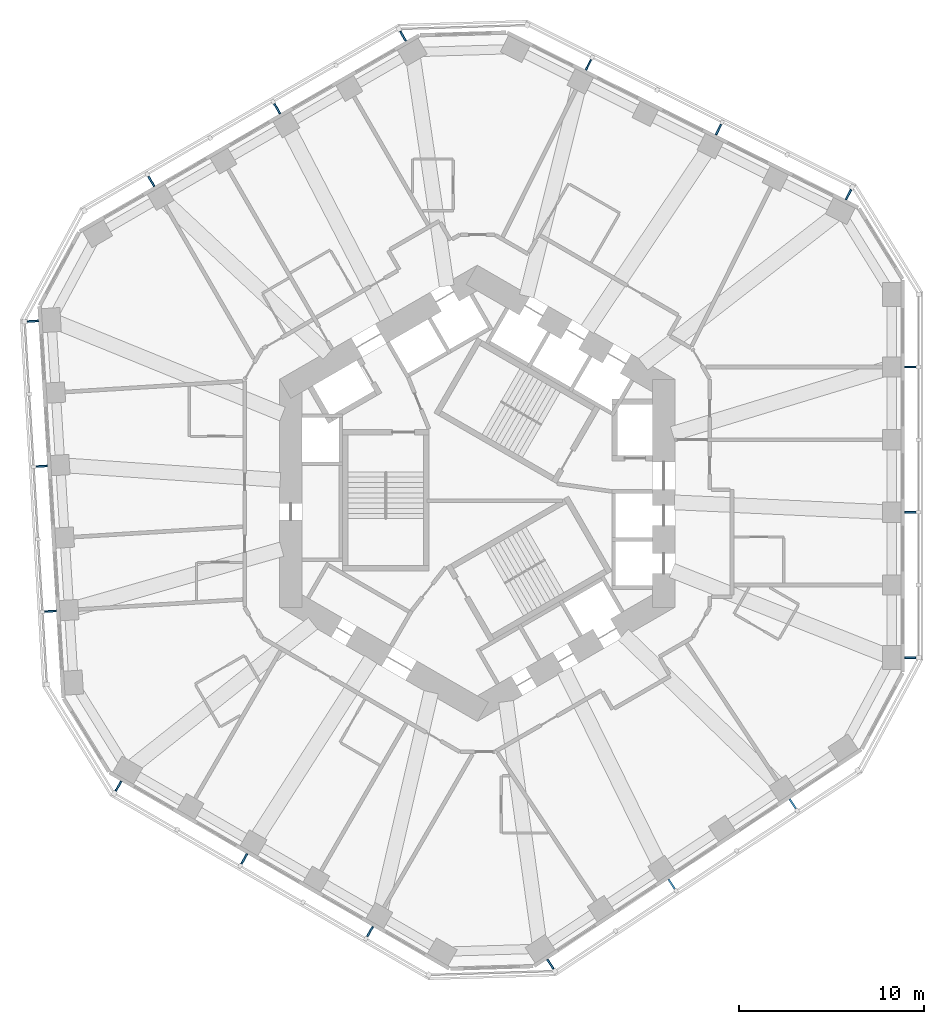
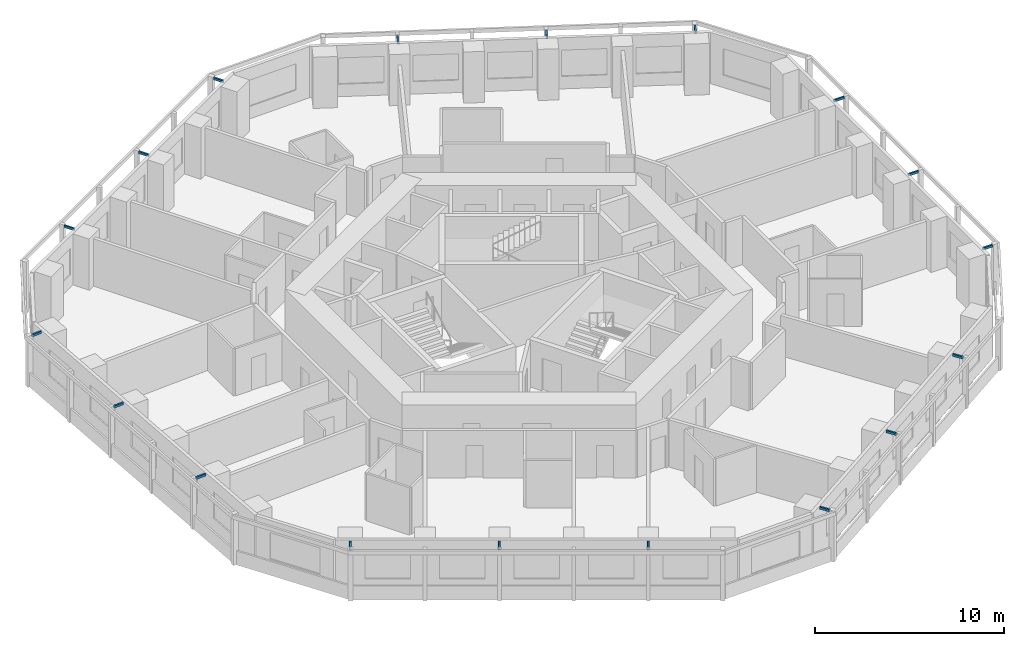
# One storey, part 10 of 11: 18 discrete accessories.
"""IFC4 building model written with IfcOpenShell, lengths in metres."""

from ifc_helpers import new_model, si_unit, direction, frame, origin, origin_2d, place, context, subcontext, project, spatial, rectangle, extrude, material, type_object, element, save


model = new_model("IFC4")

# Units and contexts
model_context = context("Model", 3, precision=1e-05, world=origin(), true_north=direction((0.0, 1.0)))
body_context = subcontext(model_context, "Body", "Model", "MODEL_VIEW")
ifc_project = project(units=[si_unit("LENGTHUNIT", "METRE"), si_unit("AREAUNIT", "SQUARE_METRE"), si_unit("VOLUMEUNIT", "CUBIC_METRE"), si_unit("PLANEANGLEUNIT", "RADIAN"), si_unit("MASSUNIT", "GRAM", prefix="KILO")], contexts=[model_context])

# Site, building, storey
site_placement = place(None, origin())
site = spatial("IfcSite", under=ifc_project, at=site_placement, CompositionType="ELEMENT")
building_placement = place(site_placement, origin())
building = spatial("IfcBuilding", under=site, at=building_placement, Name="Vanh Sen Convention Tower", CompositionType="ELEMENT")
storey_placement = place(building_placement, frame((0.0, 0.0, 96.800048828125)))
storey = spatial("IfcBuildingStorey", under=building, at=storey_placement, Name="L22", CompositionType="ELEMENT", Elevation=96.800048828125)

# Discrete accessories
ifc_material = material(Name="Steel S355", Category="steel")
discrete_accessory_type = type_object("IfcDiscreteAccessoryType", Name="Fin bracket 100 x 150", PredefinedType="BRACKET", material=ifc_material)
discrete_accessory_1_placement = place(storey_placement, frame((23.449951171875, -8.899169921875, 3.10009765625), z_axis=(0.0, 0.0, 1.0), x_axis=(1.0, 0.0, 0.0)))
element("IfcDiscreteAccessory", 1, at=discrete_accessory_1_placement, inside=storey, type_object=discrete_accessory_type, Name="Fin bracket E-1 L22", PredefinedType="BRACKET", context=body_context, shape_type="SweptSolid", body=[
    extrude(rectangle(XDim=0.60009765625, YDim=0.10009765625, at=origin_2d()), origin(), (0.0, 0.0, 1.0), 0.14990234375),
])
for number, where, z_axis, x_axis, name in (
    (2, (23.46240234375, -1.030029296875, 3.10009765625), (0.0, 0.0, 1.0), (1.0, 0.0, 0.0), "Fin bracket E-3 L22"),
    (3, (23.46240234375, 6.839111328125, 3.10009765625), (0.0, 0.0, 1.0), (1.0, 0.0, 0.0), "Fin bracket E-5 L22"),
):
    element("IfcDiscreteAccessory", number, at=place(storey_placement, frame(where, z_axis=z_axis, x_axis=x_axis)), inside=storey, type_object=discrete_accessory_type, Name=name, PredefinedType="BRACKET", context=body_context, shape_type="SweptSolid", body=[
        extrude(rectangle(XDim=0.625, YDim=0.10009765625, at=origin_2d()), origin(), (0.0, 0.0, 1.0), 0.14990234375),
    ])
discrete_accessory_2_placement = place(storey_placement, frame((20.10498046875, 16.178955078125, 3.10009765625), z_axis=(0.0, 0.0, 1.0), x_axis=(0.44619781311, 0.894934361602, 0.0)))
element("IfcDiscreteAccessory", 4, at=discrete_accessory_2_placement, inside=storey, type_object=discrete_accessory_type, Name="Fin bracket NE-1 L22", PredefinedType="BRACKET", context=body_context, shape_type="SweptSolid", body=[
    extrude(rectangle(XDim=0.60009765625, YDim=0.10009765625, at=origin_2d()), origin(), (0.0, 0.0, 1.0), 0.14990234375),
])
for number, where, z_axis, x_axis, name in (
    (5, (13.068359375, 19.701416015625, 3.10009765625), (0.0, 0.0, 1.0), (0.44619781311, 0.894934361602, 0.0), "Fin bracket NE-3 L22"),
    (6, (6.02587890625, 23.212646484375, 3.10009765625), (0.0, 0.0, 1.0), (0.44619781311, 0.894934361602, 0.0), "Fin bracket NE-5 L22"),
):
    element("IfcDiscreteAccessory", number, at=place(storey_placement, frame(where, z_axis=z_axis, x_axis=x_axis)), inside=storey, type_object=discrete_accessory_type, Name=name, PredefinedType="BRACKET", context=body_context, shape_type="SweptSolid", body=[
        extrude(rectangle(XDim=0.625, YDim=0.10009765625, at=origin_2d()), origin(), (0.0, 0.0, 1.0), 0.14990234375),
    ])
discrete_accessory_3_placement = place(storey_placement, frame((-4.01806640625, 24.7578125, 3.10009765625), z_axis=(0.0, 0.0, 1.0), x_axis=(-0.5, 0.866025403784, 0.0)))
element("IfcDiscreteAccessory", 7, at=discrete_accessory_3_placement, inside=storey, type_object=discrete_accessory_type, Name="Fin bracket NW-1 L22", PredefinedType="BRACKET", context=body_context, shape_type="SweptSolid", body=[
    extrude(rectangle(XDim=0.60009765625, YDim=0.10009765625, at=origin_2d()), origin(), (0.0, 0.0, 1.0), 0.14990234375),
])
for number, where, z_axis, x_axis, name in (
    (8, (-10.839111328125, 20.834228515625, 3.10009765625), (0.0, 0.0, 1.0), (-0.5, 0.866025403784, 0.0), "Fin bracket NW-3 L22"),
    (9, (-17.654296875, 16.899658203125, 3.10009765625), (0.0, 0.0, 1.0), (-0.5, 0.866025403784, 0.0), "Fin bracket NW-5 L22"),
):
    element("IfcDiscreteAccessory", number, at=place(storey_placement, frame(where, z_axis=z_axis, x_axis=x_axis)), inside=storey, type_object=discrete_accessory_type, Name=name, PredefinedType="BRACKET", context=body_context, shape_type="SweptSolid", body=[
        extrude(rectangle(XDim=0.625, YDim=0.10009765625, at=origin_2d()), origin(), (0.0, 0.0, 1.0), 0.14990234375),
    ])
discrete_accessory_4_placement = place(storey_placement, frame((-24.06396484375, 9.322021484375, 3.10009765625), z_axis=(0.0, 0.0, 1.0), x_axis=(-0.998134798422, -0.061048539535, 0.0)))
element("IfcDiscreteAccessory", 10, at=discrete_accessory_4_placement, inside=storey, type_object=discrete_accessory_type, Name="Fin bracket W-1 L22", PredefinedType="BRACKET", context=body_context, shape_type="SweptSolid", body=[
    extrude(rectangle(XDim=0.60009765625, YDim=0.10009765625, at=origin_2d()), origin(), (0.0, 0.0, 1.0), 0.14990234375),
])
for number, where, z_axis, x_axis, name in (
    (11, (-23.595947265625, 1.466796875, 3.10009765625), (0.0, 0.0, 1.0), (-0.998134798422, -0.061048539535, 0.0), "Fin bracket W-3 L22"),
    (12, (-23.115478515625, -6.3876953125, 3.10009765625), (0.0, 0.0, 1.0), (-0.998134798422, -0.061048539535, 0.0), "Fin bracket W-5 L22"),
):
    element("IfcDiscreteAccessory", number, at=place(storey_placement, frame(where, z_axis=z_axis, x_axis=x_axis)), inside=storey, type_object=discrete_accessory_type, Name=name, PredefinedType="BRACKET", context=body_context, shape_type="SweptSolid", body=[
        extrude(rectangle(XDim=0.625, YDim=0.10009765625, at=origin_2d()), origin(), (0.0, 0.0, 1.0), 0.14990234375),
    ])
discrete_accessory_5_placement = place(storey_placement, frame((-19.431884765625, -15.858642578125, 3.10009765625), z_axis=(0.0, 0.0, 1.0), x_axis=(-0.5, -0.866025403784, 0.0)))
element("IfcDiscreteAccessory", 13, at=discrete_accessory_5_placement, inside=storey, type_object=discrete_accessory_type, Name="Fin bracket SW-1 L22", PredefinedType="BRACKET", context=body_context, shape_type="SweptSolid", body=[
    extrude(rectangle(XDim=0.60009765625, YDim=0.10009765625, at=origin_2d()), origin(), (0.0, 0.0, 1.0), 0.14990234375),
])
for number, where, z_axis, x_axis, name in (
    (14, (-12.623291015625, -19.80419921875, 3.10009765625), (0.0, 0.0, 1.0), (-0.5, -0.866025403784, 0.0), "Fin bracket SW-3 L22"),
    (15, (-5.808349609375, -23.73876953125, 3.10009765625), (0.0, 0.0, 1.0), (-0.5, -0.866025403784, 0.0), "Fin bracket SW-5 L22"),
):
    element("IfcDiscreteAccessory", number, at=place(storey_placement, frame(where, z_axis=z_axis, x_axis=x_axis)), inside=storey, type_object=discrete_accessory_type, Name=name, PredefinedType="BRACKET", context=body_context, shape_type="SweptSolid", body=[
        extrude(rectangle(XDim=0.625, YDim=0.10009765625, at=origin_2d()), origin(), (0.0, 0.0, 1.0), 0.14990234375),
    ])
discrete_accessory_6_placement = place(storey_placement, frame((3.958740234375, -25.5009765625, 3.10009765625), z_axis=(0.0, 0.0, 1.0), x_axis=(0.551936985312, -0.833885822067, 0.0)))
element("IfcDiscreteAccessory", 16, at=discrete_accessory_6_placement, inside=storey, type_object=discrete_accessory_type, Name="Fin bracket SE-1 L22", PredefinedType="BRACKET", context=body_context, shape_type="SweptSolid", body=[
    extrude(rectangle(XDim=0.60009765625, YDim=0.10009765625, at=origin_2d()), origin(), (0.0, 0.0, 1.0), 0.14990234375),
])
for number, where, z_axis, x_axis, name in (
    (17, (10.527587890625, -21.168212890625, 3.10009765625), (0.0, 0.0, 1.0), (0.551936985312, -0.833885822067, 0.0), "Fin bracket SE-3 L22"),
    (18, (17.089599609375, -16.824951171875, 3.10009765625), (0.0, 0.0, 1.0), (0.551936985312, -0.833885822067, 0.0), "Fin bracket SE-5 L22"),
):
    element("IfcDiscreteAccessory", number, at=place(storey_placement, frame(where, z_axis=z_axis, x_axis=x_axis)), inside=storey, type_object=discrete_accessory_type, Name=name, PredefinedType="BRACKET", context=body_context, shape_type="SweptSolid", body=[
        extrude(rectangle(XDim=0.625, YDim=0.10009765625, at=origin_2d()), origin(), (0.0, 0.0, 1.0), 0.14990234375),
    ])

save(model, "model.ifc")
